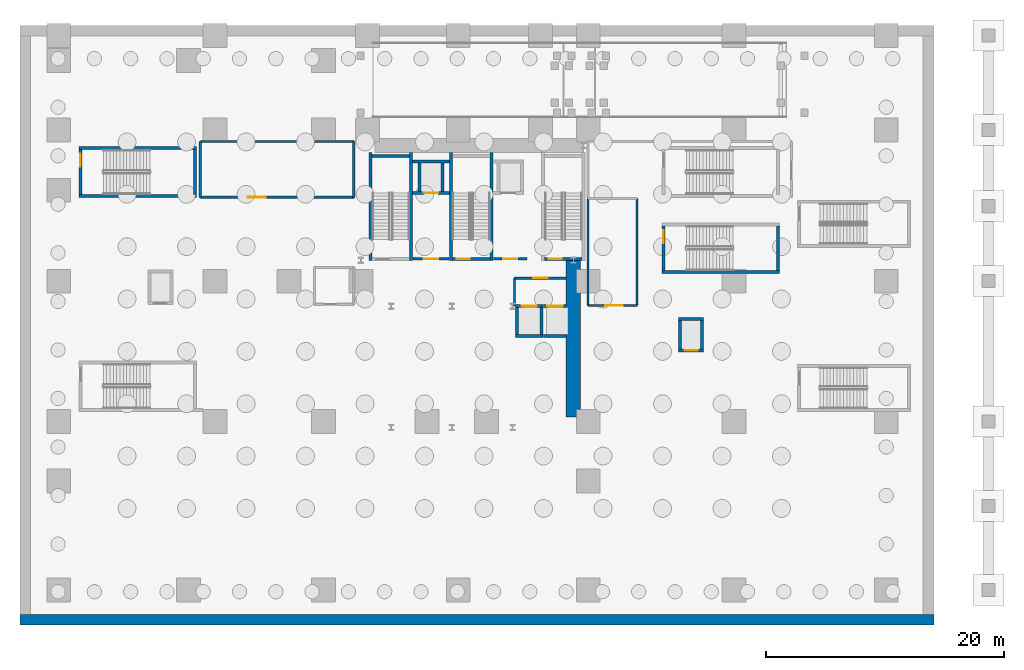
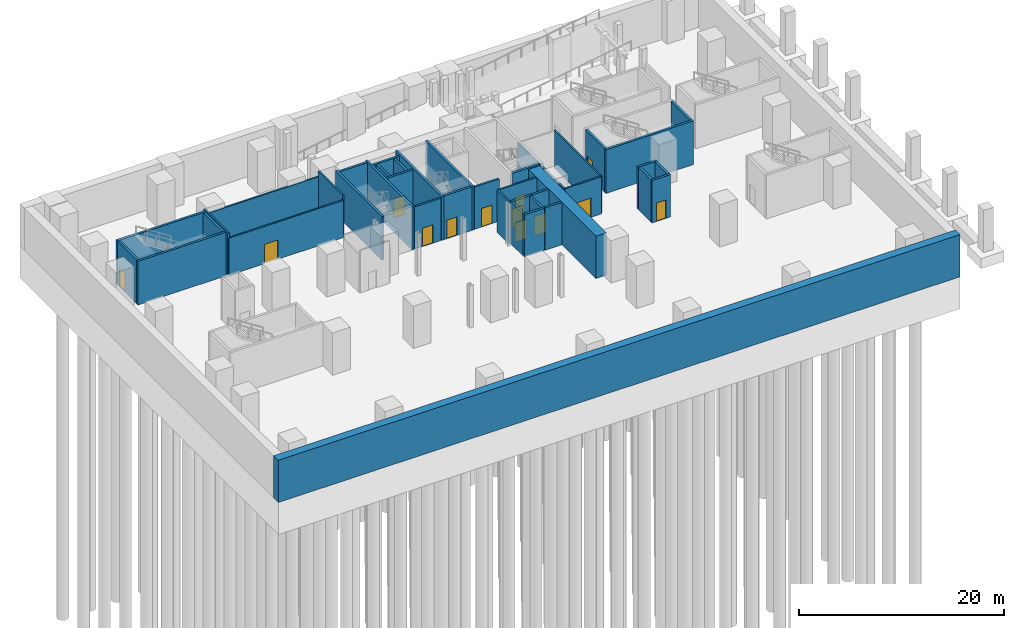
# One storey, part 5 of 14: 41 walls, 13 doors, 13 openings.
"""IFC4 building model written with IfcOpenShell, lengths in metres."""

from ifc_helpers import new_model, si_unit, direction, frame, frame_2d, origin, place, context, subcontext, project, spatial, rectangle, extrude, source, transform, mapped, material, layer, layer_set, type_object, element, fill, save


model = new_model("IFC4")

# Units and contexts
model_context = context("Model", 3, precision=1e-05, world=origin(), true_north=direction((0.0, 1.0)))
body_context = subcontext(model_context, "Body", "Model", "MODEL_VIEW")
ifc_project = project(units=[si_unit("LENGTHUNIT", "METRE"), si_unit("AREAUNIT", "SQUARE_METRE"), si_unit("VOLUMEUNIT", "CUBIC_METRE"), si_unit("PLANEANGLEUNIT", "RADIAN"), si_unit("MASSUNIT", "GRAM", prefix="KILO")], contexts=[model_context])

# Site, building, storey
site_placement = place(None, origin())
site = spatial("IfcSite", under=ifc_project, at=site_placement, CompositionType="ELEMENT")
building_placement = place(site_placement, origin())
building = spatial("IfcBuilding", under=site, at=building_placement, Name="Vardaveli Station Tower", CompositionType="ELEMENT")
storey_placement = place(building_placement, frame((0.0, 0.0, -11.39990234375)))
storey = spatial("IfcBuildingStorey", under=building, at=storey_placement, Name="B02", CompositionType="ELEMENT", Elevation=-11.39990234375)

# Walls
ifc_material_1 = material(Name="Concrete C70/85", Category="concrete")
ifc_layer_1 = layer(ifc_material_1, 1.199951171875, Name="Concrete C70/85")
ifc_layer_set_1 = layer_set([ifc_layer_1], Name="Concrete C70/85")
wall_type_1 = type_object("IfcWallType", Name="WAL-CORE-1200", PredefinedType="SHEAR", material=ifc_layer_set_1)
shared_shape_1 = source(origin(), body_context, "Body", "SweptSolid", [
    extrude(rectangle(XDim=13.14990234375, YDim=1.199951171875, at=frame_2d((6.574951171875, 0.0))), origin(), (0.0, 0.0, 1.0), 5.039794921875),
])
wall_1_placement = place(storey_placement, frame((46.5, 17.5, 0.0), z_axis=(0.0, 0.0, 1.0), x_axis=(0.0, 1.0, 0.0)))
element("IfcWall", 1, at=wall_1_placement, inside=storey, type_object=wall_type_1, Name="SW-B02-EAST2", PredefinedType="SHEAR", context=body_context, shape_type="MappedRepresentation", body=[
    mapped(shared_shape_1, transform((0.0, 0.0, 0.0), scale=1.0)),
])
ifc_material_2 = material(Name="Concrete C40/50", Category="concrete")
ifc_layer_2 = layer(ifc_material_2, 0.89990234375, Name="Concrete C40/50")
ifc_layer_set_2 = layer_set([ifc_layer_2], Name="Concrete C40/50")
wall_type_2 = type_object("IfcWallType", Name="WAL-RET-900", PredefinedType="SOLIDWALL", material=ifc_layer_set_2)
shared_shape_2 = source(origin(), body_context, "Body", "SweptSolid", [
    extrude(rectangle(XDim=76.800048828125, YDim=0.89990234375, at=frame_2d((38.39990234375, 0.0))), origin(), (0.0, 0.0, 1.0), 5.039794921875),
])
wall_2_placement = place(storey_placement, frame((0.0, 0.449951171875, 0.0), z_axis=(0.0, 0.0, 1.0), x_axis=(1.0, 0.0, 0.0)))
element("IfcWall", 2, at=wall_2_placement, inside=storey, type_object=wall_type_2, Name="BW-B02-S", PredefinedType="SOLIDWALL", context=body_context, shape_type="MappedRepresentation", body=[
    mapped(shared_shape_2, transform((0.0, 0.0, 0.0), scale=1.0)),
])
ifc_layer_3 = layer(ifc_material_2, 0.25, Name="Concrete C40/50")
ifc_layer_set_3 = layer_set([ifc_layer_3], Name="Concrete C40/50")
wall_type_3 = type_object("IfcWallType", Name="WAL-SHAFT-250", PredefinedType="SOLIDWALL", material=ifc_layer_set_3)
shared_shape_3 = source(origin(), body_context, "Body", "SweptSolid", [
    extrude(rectangle(XDim=9.050048828125, YDim=0.25, at=frame_2d((4.52490234375, 0.0))), origin(), (0.0, 0.0, 1.0), 5.199951171875),
])
for number, where, z_axis, x_axis, name in (
    (3, (29.47509765625, 30.64990234375, 0.0), (0.0, 0.0, 1.0), (0.0, 1.0, 0.0), "W-B02-ST-1W"),
    (4, (32.875, 30.64990234375, 0.0), (0.0, 0.0, 1.0), (0.0, 1.0, 0.0), "W-B02-ST-1E"),
    (5, (36.22509765625, 30.64990234375, 0.0), (0.0, 0.0, 1.0), (0.0, 1.0, 0.0), "W-B02-ST-2W"),
    (6, (39.625, 30.64990234375, 0.0), (0.0, 0.0, 1.0), (0.0, 1.0, 0.0), "W-B02-ST-2E"),
):
    element("IfcWall", number, at=place(storey_placement, frame(where, z_axis=z_axis, x_axis=x_axis)), inside=storey, type_object=wall_type_3, Name=name, PredefinedType="SOLIDWALL", context=body_context, shape_type="MappedRepresentation", body=[
        mapped(shared_shape_3, transform((0.0, 0.0, 0.0), scale=1.0)),
    ])
shared_shape_4 = source(origin(), body_context, "Body", "SweptSolid", [
    extrude(rectangle(XDim=3.14990234375, YDim=0.25, at=frame_2d((1.574951171875, 0.0))), origin(), (0.0, 0.0, 1.0), 5.199951171875),
])
wall_3_placement = place(storey_placement, frame((29.60009765625, 39.425048828125, 0.0), z_axis=(0.0, 0.0, 1.0), x_axis=(1.0, 0.0, 0.0)))
element("IfcWall", 7, at=wall_3_placement, inside=storey, type_object=wall_type_3, Name="W-B02-ST-1N", PredefinedType="SOLIDWALL", context=body_context, shape_type="MappedRepresentation", body=[
    mapped(shared_shape_4, transform((0.0, 0.0, 0.0), scale=1.0)),
])

# Wall, opening, door
wall_4_placement = place(storey_placement, frame((36.35009765625, 30.77490234375, 0.0), z_axis=(0.0, 0.0, 1.0), x_axis=(1.0, 0.0, 0.0)))
wall_4 = element("IfcWall", 8, at=wall_4_placement, inside=storey, type_object=wall_type_3, Name="W-B02-ST-2S", PredefinedType="SOLIDWALL", context=body_context, shape_type="MappedRepresentation", body=[
    mapped(shared_shape_4, transform((0.0, 0.0, 0.0), scale=1.0)),
])
shared_shape_5 = source(origin(), body_context, "Body", "SweptSolid", [
    extrude(rectangle(XDim=1.10009765625, YDim=2.199951171875, at=frame_2d((0.550048828125, 1.10009765625))), frame((0.0, 0.135009765625, 0.0), z_axis=(0.0, -1.0, 0.0), x_axis=(1.0, 0.0, 0.0)), (0.0, 0.0, 1.0), 0.27001953125),
])
opening_1_placement = place(wall_4_placement, frame((0.35009765625, 0.0, 0.0)))
opening_1 = element("IfcOpeningElement", 9, at=opening_1_placement, cuts=wall_4, Name="Opening D-04", PredefinedType="OPENING", context=body_context, shape_type="MappedRepresentation", body=[
    mapped(shared_shape_5, transform((0.0, 0.0, 0.0), scale=1.0)),
])
ifc_material_3 = material(Name="Steel smokeproof fire doorset", Category="steel")
door_type_1 = type_object("IfcDoorType", Name="DR-ST-1100x2200", OperationType="NOTDEFINED", PredefinedType="DOOR", material=ifc_material_3)
shared_shape_6 = source(origin(), body_context, "Body", "SweptSolid", [
    extrude(rectangle(XDim=1.10009765625, YDim=2.199951171875, at=frame_2d((0.550048828125, 1.10009765625))), frame((0.0, 0.02490234375, 0.0), z_axis=(0.0, -1.0, 0.0), x_axis=(1.0, 0.0, 0.0)), (0.0, 0.0, 1.0), 0.050048828125),
])
door_1_placement = place(opening_1_placement, origin())
door_1 = element("IfcDoor", 10, at=door_1_placement, inside=storey, type_object=door_type_1, Name="DST-2-B02", OperationType="SINGLE_SWING_LEFT", OverallHeight=2.199951171875, OverallWidth=1.10009765625, PredefinedType="DOOR", context=body_context, shape_type="MappedRepresentation", body=[
    mapped(shared_shape_6, transform((0.0, 0.0, 0.0), scale=1.0)),
])
fill(opening_1, door_1)

wall_5_placement = place(storey_placement, frame((44.10009765625, 30.77490234375, 0.0), z_axis=(0.0, 0.0, 1.0), x_axis=(1.0, 0.0, 0.0)))
wall_5 = element("IfcWall", 11, at=wall_5_placement, inside=storey, type_object=wall_type_3, Name="W-B02-ST-3S", PredefinedType="SOLIDWALL", context=body_context, shape_type="MappedRepresentation", body=[
    mapped(shared_shape_4, transform((0.0, 0.0, 0.0), scale=1.0)),
])
opening_2_placement = place(wall_5_placement, frame((0.35009765625, 0.0, 0.0)))
opening_2 = element("IfcOpeningElement", 12, at=opening_2_placement, cuts=wall_5, Name="Opening D-04", PredefinedType="OPENING", context=body_context, shape_type="MappedRepresentation", body=[
    mapped(shared_shape_5, transform((0.0, 0.0, 0.0), scale=1.0)),
])
door_2_placement = place(opening_2_placement, origin())
door_2 = element("IfcDoor", 13, at=door_2_placement, inside=storey, type_object=door_type_1, Name="DST-3-B02", OperationType="SINGLE_SWING_LEFT", OverallHeight=2.199951171875, OverallWidth=1.10009765625, PredefinedType="DOOR", context=body_context, shape_type="MappedRepresentation", body=[
    mapped(shared_shape_6, transform((0.0, 0.0, 0.0), scale=1.0)),
])
fill(opening_2, door_2)

# Walls
shared_shape_7 = source(origin(), body_context, "Body", "SweptSolid", [
    extrude(rectangle(XDim=9.900146484375, YDim=0.25, at=frame_2d((4.9501953125, 0.0))), origin(), (0.0, 0.0, 1.0), 5.199951171875),
])
for number, where, z_axis, x_axis, name in (
    (14, (53.949951171875, 29.675048828125, 0.0), (0.0, 0.0, 1.0), (1.0, 0.0, 0.0), "W-B02-ST-S2S"),
    (15, (4.949951171875, 36.074951171875, 0.0), (0.0, 0.0, 1.0), (1.0, 0.0, 0.0), "W-B02-ST-P1S"),
    (16, (4.949951171875, 40.074951171875, 0.0), (0.0, 0.0, 1.0), (1.0, 0.0, 0.0), "W-B02-ST-P1N"),
):
    element("IfcWall", number, at=place(storey_placement, frame(where, z_axis=z_axis, x_axis=x_axis)), inside=storey, type_object=wall_type_3, Name=name, PredefinedType="SOLIDWALL", context=body_context, shape_type="MappedRepresentation", body=[
        mapped(shared_shape_7, transform((0.0, 0.0, 0.0), scale=1.0)),
    ])
shared_shape_8 = source(origin(), body_context, "Body", "SweptSolid", [
    extrude(rectangle(XDim=3.75, YDim=0.25, at=frame_2d((1.875, 0.0))), origin(), (0.0, 0.0, 1.0), 5.199951171875),
])
wall_6_placement = place(storey_placement, frame((63.72509765625, 29.800048828125, 0.0), z_axis=(0.0, 0.0, 1.0), x_axis=(0.0, 1.0, 0.0)))
element("IfcWall", 17, at=wall_6_placement, inside=storey, type_object=wall_type_3, Name="W-B02-ST-S2E", PredefinedType="SOLIDWALL", context=body_context, shape_type="MappedRepresentation", body=[
    mapped(shared_shape_8, transform((0.0, 0.0, 0.0), scale=1.0)),
])

# Wall, opening, door
wall_7_placement = place(storey_placement, frame((54.074951171875, 29.800048828125, 0.0), z_axis=(0.0, 0.0, 1.0), x_axis=(0.0, 1.0, 0.0)))
wall_7 = element("IfcWall", 18, at=wall_7_placement, inside=storey, type_object=wall_type_3, Name="W-B02-ST-S2W", PredefinedType="SOLIDWALL", context=body_context, shape_type="MappedRepresentation", body=[
    mapped(shared_shape_8, transform((0.0, 0.0, 0.0), scale=1.0)),
])
opening_3_placement = place(wall_7_placement, frame((2.300048828125, 0.0, 0.0)))
opening_3 = element("IfcOpeningElement", 19, at=opening_3_placement, cuts=wall_7, Name="Opening D-04", PredefinedType="OPENING", context=body_context, shape_type="MappedRepresentation", body=[
    mapped(shared_shape_5, transform((0.0, 0.0, 0.0), scale=1.0)),
])
door_3_placement = place(opening_3_placement, origin())
door_3 = element("IfcDoor", 20, at=door_3_placement, inside=storey, type_object=door_type_1, Name="DST-S2-B02", OperationType="SINGLE_SWING_RIGHT", OverallHeight=2.199951171875, OverallWidth=1.10009765625, PredefinedType="DOOR", context=body_context, shape_type="MappedRepresentation", body=[
    mapped(shared_shape_6, transform((0.0, 0.0, 0.0), scale=1.0)),
])
fill(opening_3, door_3)

# Wall
wall_8_placement = place(storey_placement, frame((14.72509765625, 36.199951171875, 0.0), z_axis=(0.0, 0.0, 1.0), x_axis=(0.0, 1.0, 0.0)))
element("IfcWall", 21, at=wall_8_placement, inside=storey, type_object=wall_type_3, Name="W-B02-ST-P1E", PredefinedType="SOLIDWALL", context=body_context, shape_type="MappedRepresentation", body=[
    mapped(shared_shape_8, transform((0.0, 0.0, 0.0), scale=1.0)),
])

# Wall, opening, door
wall_9_placement = place(storey_placement, frame((5.074951171875, 36.199951171875, 0.0), z_axis=(0.0, 0.0, 1.0), x_axis=(0.0, 1.0, 0.0)))
wall_9 = element("IfcWall", 22, at=wall_9_placement, inside=storey, type_object=wall_type_3, Name="W-B02-ST-P1W", PredefinedType="SOLIDWALL", context=body_context, shape_type="MappedRepresentation", body=[
    mapped(shared_shape_8, transform((0.0, 0.0, 0.0), scale=1.0)),
])
opening_4_placement = place(wall_9_placement, frame((2.300048828125, 0.0, 0.0)))
opening_4 = element("IfcOpeningElement", 23, at=opening_4_placement, cuts=wall_9, Name="Opening D-04", PredefinedType="OPENING", context=body_context, shape_type="MappedRepresentation", body=[
    mapped(shared_shape_5, transform((0.0, 0.0, 0.0), scale=1.0)),
])
door_4_placement = place(opening_4_placement, origin())
door_4 = element("IfcDoor", 24, at=door_4_placement, inside=storey, type_object=door_type_1, Name="DST-P1-B02", OperationType="SINGLE_SWING_RIGHT", OverallHeight=2.199951171875, OverallWidth=1.10009765625, PredefinedType="DOOR", context=body_context, shape_type="MappedRepresentation", body=[
    mapped(shared_shape_6, transform((0.0, 0.0, 0.0), scale=1.0)),
])
fill(opening_4, door_4)

ifc_layer_4 = layer(ifc_material_2, 0.219970703125, Name="Concrete C40/50")
ifc_layer_set_4 = layer_set([ifc_layer_4], Name="Concrete C40/50")
wall_type_4 = type_object("IfcWallType", Name="WAL-FFLOBBY-220", PredefinedType="SOLIDWALL", material=ifc_layer_set_4)
shared_shape_9 = source(origin(), body_context, "Body", "SweptSolid", [
    extrude(rectangle(XDim=3.0, YDim=0.219970703125, at=frame_2d((1.5, 0.0))), origin(), (0.0, 0.0, 1.0), 5.039794921875),
])
wall_10_placement = place(storey_placement, frame((33.050048828125, 30.780029296875, 0.0), z_axis=(0.0, 0.0, 1.0), x_axis=(1.0, 0.0, 0.0)))
wall_10 = element("IfcWall", 25, at=wall_10_placement, inside=storey, type_object=wall_type_4, Name="W-B02-FFL1S", PredefinedType="SOLIDWALL", context=body_context, shape_type="MappedRepresentation", body=[
    mapped(shared_shape_9, transform((0.0, 0.0, 0.0), scale=1.0)),
])
shared_shape_10 = source(origin(), body_context, "Body", "SweptSolid", [
    extrude(rectangle(XDim=1.199951171875, YDim=2.199951171875, at=frame_2d((0.60009765625, 1.10009765625))), frame((0.0, 0.1201171875, 0.0), z_axis=(0.0, -1.0, 0.0), x_axis=(1.0, 0.0, 0.0)), (0.0, 0.0, 1.0), 0.239990234375),
])
opening_5_placement = place(wall_10_placement, frame((0.89990234375, 0.0, 0.0)))
opening_5 = element("IfcOpeningElement", 26, at=opening_5_placement, cuts=wall_10, Name="Opening D-03", PredefinedType="OPENING", context=body_context, shape_type="MappedRepresentation", body=[
    mapped(shared_shape_10, transform((0.0, 0.0, 0.0), scale=1.0)),
])
door_type_2 = type_object("IfcDoorType", Name="DR-FFL-1200x2200", OperationType="NOTDEFINED", PredefinedType="DOOR", material=ifc_material_3)
shared_shape_11 = source(origin(), body_context, "Body", "SweptSolid", [
    extrude(rectangle(XDim=1.199951171875, YDim=2.199951171875, at=frame_2d((0.60009765625, 1.10009765625))), frame((0.0, 0.02490234375, 0.0), z_axis=(0.0, -1.0, 0.0), x_axis=(1.0, 0.0, 0.0)), (0.0, 0.0, 1.0), 0.050048828125),
])
door_5_placement = place(opening_5_placement, origin())
door_5 = element("IfcDoor", 27, at=door_5_placement, inside=storey, type_object=door_type_2, Name="DFFL1-B02", OperationType="SINGLE_SWING_LEFT", OverallHeight=2.199951171875, OverallWidth=1.199951171875, PredefinedType="DOOR", context=body_context, shape_type="MappedRepresentation", body=[
    mapped(shared_shape_11, transform((0.0, 0.0, 0.0), scale=1.0)),
])
fill(opening_5, door_5)

shared_shape_12 = source(origin(), body_context, "Body", "SweptSolid", [
    extrude(rectangle(XDim=2.800048828125, YDim=0.219970703125, at=frame_2d((1.39990234375, 0.0))), origin(), (0.0, 0.0, 1.0), 5.039794921875),
])
wall_11_placement = place(storey_placement, frame((39.800048828125, 30.780029296875, 0.0), z_axis=(0.0, 0.0, 1.0), x_axis=(1.0, 0.0, 0.0)))
wall_11 = element("IfcWall", 28, at=wall_11_placement, inside=storey, type_object=wall_type_4, Name="W-B02-FFL2S", PredefinedType="SOLIDWALL", context=body_context, shape_type="MappedRepresentation", body=[
    mapped(shared_shape_12, transform((0.0, 0.0, 0.0), scale=1.0)),
])
opening_6_placement = place(wall_11_placement, frame((0.800048828125, 0.0, 0.0)))
opening_6 = element("IfcOpeningElement", 29, at=opening_6_placement, cuts=wall_11, Name="Opening D-03", PredefinedType="OPENING", context=body_context, shape_type="MappedRepresentation", body=[
    mapped(shared_shape_10, transform((0.0, 0.0, 0.0), scale=1.0)),
])
door_6_placement = place(opening_6_placement, origin())
door_6 = element("IfcDoor", 30, at=door_6_placement, inside=storey, type_object=door_type_2, Name="DFFL2-B02", OperationType="SINGLE_SWING_RIGHT", OverallHeight=2.199951171875, OverallWidth=1.199951171875, PredefinedType="DOOR", context=body_context, shape_type="MappedRepresentation", body=[
    mapped(shared_shape_11, transform((0.0, 0.0, 0.0), scale=1.0)),
])
fill(opening_6, door_6)

# Walls
shared_shape_13 = source(origin(), body_context, "Body", "SweptSolid", [
    extrude(rectangle(XDim=2.400146484375, YDim=0.25, at=frame_2d((1.2001953125, 0.0))), origin(), (0.0, 0.0, 1.0), 5.039794921875),
])
for number, where, z_axis, x_axis, name in (
    (31, (55.47509765625, 23.199951171875, 0.0), (0.0, 0.0, 1.0), (0.0, 1.0, 0.0), "SHW-STN-02-B02-W"),
    (32, (57.324951171875, 23.199951171875, 0.0), (0.0, 0.0, 1.0), (0.0, 1.0, 0.0), "SHW-STN-02-B02-E"),
    (33, (33.574951171875, 36.449951171875, 0.0), (0.0, 0.0, 1.0), (0.0, 1.0, 0.0), "SHW-FFL-01-B02-W"),
    (34, (35.52490234375, 36.449951171875, 0.0), (0.0, 0.0, 1.0), (0.0, 1.0, 0.0), "SHW-FFL-01-B02-E"),
):
    element("IfcWall", number, at=place(storey_placement, frame(where, z_axis=z_axis, x_axis=x_axis)), inside=storey, type_object=wall_type_3, Name=name, PredefinedType="SOLIDWALL", context=body_context, shape_type="MappedRepresentation", body=[
        mapped(shared_shape_13, transform((0.0, 0.0, 0.0), scale=1.0)),
    ])

# Wall, opening, door
shared_shape_14 = source(origin(), body_context, "Body", "SweptSolid", [
    extrude(rectangle(XDim=2.099853515625, YDim=0.25, at=frame_2d((1.0498046875, 0.0))), origin(), (0.0, 0.0, 1.0), 5.039794921875),
])
wall_12_placement = place(storey_placement, frame((55.35009765625, 23.074951171875, 0.0), z_axis=(0.0, 0.0, 1.0), x_axis=(1.0, 0.0, 0.0)))
wall_12 = element("IfcWall", 35, at=wall_12_placement, inside=storey, type_object=wall_type_3, Name="SHW-STN-02-B02-S", PredefinedType="SOLIDWALL", context=body_context, shape_type="MappedRepresentation", body=[
    mapped(shared_shape_14, transform((0.0, 0.0, 0.0), scale=1.0)),
])
opening_7_placement = place(wall_12_placement, frame((0.5, 0.0, 0.0)))
opening_7 = element("IfcOpeningElement", 36, at=opening_7_placement, cuts=wall_12, Name="Opening LD-01", PredefinedType="OPENING", context=body_context, shape_type="MappedRepresentation", body=[
    mapped(shared_shape_5, transform((0.0, 0.0, 0.0), scale=1.0)),
])
ifc_material_4 = material(Name="Brushed stainless steel", Category="steel")
door_type_3 = type_object("IfcDoorType", Name="DR-LD-1100x2200", OperationType="DOUBLE_DOOR_SLIDING", PredefinedType="DOOR", material=ifc_material_4)
door_7_placement = place(opening_7_placement, origin())
door_7 = element("IfcDoor", 37, at=door_7_placement, inside=storey, type_object=door_type_3, Name="LD-STN-02-B02", OperationType="DOUBLE_DOOR_SLIDING", OverallHeight=2.199951171875, OverallWidth=1.10009765625, PredefinedType="DOOR", context=body_context, shape_type="MappedRepresentation", body=[
    mapped(shared_shape_6, transform((0.0, 0.0, 0.0), scale=1.0)),
])
fill(opening_7, door_7)

# Wall
wall_13_placement = place(storey_placement, frame((55.35009765625, 25.72509765625, 0.0), z_axis=(0.0, 0.0, 1.0), x_axis=(1.0, 0.0, 0.0)))
element("IfcWall", 38, at=wall_13_placement, inside=storey, type_object=wall_type_3, Name="SHW-STN-02-B02-N", PredefinedType="SOLIDWALL", context=body_context, shape_type="MappedRepresentation", body=[
    mapped(shared_shape_14, transform((0.0, 0.0, 0.0), scale=1.0)),
])

# Wall, opening, door
shared_shape_15 = source(origin(), body_context, "Body", "SweptSolid", [
    extrude(rectangle(XDim=3.10009765625, YDim=0.25, at=frame_2d((1.550048828125, 0.0))), origin(), (0.0, 0.0, 1.0), 5.039794921875),
])
wall_14_placement = place(storey_placement, frame((33.0, 36.324951171875, 0.0), z_axis=(0.0, 0.0, 1.0), x_axis=(1.0, 0.0, 0.0)))
wall_14 = element("IfcWall", 39, at=wall_14_placement, inside=storey, type_object=wall_type_3, Name="SHW-FFL-01-B02-S", PredefinedType="SOLIDWALL", context=body_context, shape_type="MappedRepresentation", body=[
    mapped(shared_shape_15, transform((0.0, 0.0, 0.0), scale=1.0)),
])
shared_shape_16 = source(origin(), body_context, "Body", "SweptSolid", [
    extrude(rectangle(XDim=1.199951171875, YDim=2.25, at=frame_2d((0.60009765625, 1.125))), frame((0.0, 0.135009765625, 0.0), z_axis=(0.0, -1.0, 0.0), x_axis=(1.0, 0.0, 0.0)), (0.0, 0.0, 1.0), 0.27001953125),
])
opening_8_placement = place(wall_14_placement, frame((0.949951171875, 0.0, 0.0)))
opening_8 = element("IfcOpeningElement", 40, at=opening_8_placement, cuts=wall_14, Name="Opening LD-02", PredefinedType="OPENING", context=body_context, shape_type="MappedRepresentation", body=[
    mapped(shared_shape_16, transform((0.0, 0.0, 0.0), scale=1.0)),
])
door_type_4 = type_object("IfcDoorType", Name="DR-LD-1200x2250", OperationType="DOUBLE_DOOR_SLIDING", PredefinedType="DOOR", material=ifc_material_4)
shared_shape_17 = source(origin(), body_context, "Body", "SweptSolid", [
    extrude(rectangle(XDim=1.199951171875, YDim=2.25, at=frame_2d((0.60009765625, 1.125))), frame((0.0, 0.02490234375, 0.0), z_axis=(0.0, -1.0, 0.0), x_axis=(1.0, 0.0, 0.0)), (0.0, 0.0, 1.0), 0.050048828125),
])
door_8_placement = place(opening_8_placement, origin())
door_8 = element("IfcDoor", 41, at=door_8_placement, inside=storey, type_object=door_type_4, Name="LD-FFL-01-B02", OperationType="DOUBLE_DOOR_SLIDING", OverallHeight=2.25, OverallWidth=1.199951171875, PredefinedType="DOOR", context=body_context, shape_type="MappedRepresentation", body=[
    mapped(shared_shape_17, transform((0.0, 0.0, 0.0), scale=1.0)),
])
fill(opening_8, door_8)

# Walls
wall_15_placement = place(storey_placement, frame((33.0, 38.97509765625, 0.0), z_axis=(0.0, 0.0, 1.0), x_axis=(1.0, 0.0, 0.0)))
element("IfcWall", 42, at=wall_15_placement, inside=storey, type_object=wall_type_3, Name="SHW-FFL-01-B02-N", PredefinedType="SOLIDWALL", context=body_context, shape_type="MappedRepresentation", body=[
    mapped(shared_shape_15, transform((0.0, 0.0, 0.0), scale=1.0)),
])
shared_shape_18 = source(origin(), body_context, "Body", "SweptSolid", [
    extrude(rectangle(XDim=2.300048828125, YDim=0.25, at=frame_2d((1.14990234375, 0.0))), origin(), (0.0, 0.0, 1.0), 5.039794921875),
])
wall_16_placement = place(storey_placement, frame((41.64990234375, 24.27490234375, 0.0), z_axis=(0.0, 0.0, 1.0), x_axis=(1.0, 0.0, 0.0)))
element("IfcWall", 43, at=wall_16_placement, inside=storey, type_object=wall_type_3, Name="SHW-SRV-01-B02-S", PredefinedType="SOLIDWALL", context=body_context, shape_type="MappedRepresentation", body=[
    mapped(shared_shape_18, transform((0.0, 0.0, 0.0), scale=1.0)),
])

# Wall, opening, door
wall_17_placement = place(storey_placement, frame((41.64990234375, 26.824951171875, 0.0), z_axis=(0.0, 0.0, 1.0), x_axis=(1.0, 0.0, 0.0)))
wall_17 = element("IfcWall", 44, at=wall_17_placement, inside=storey, type_object=wall_type_3, Name="SHW-SRV-01-B02-N", PredefinedType="SOLIDWALL", context=body_context, shape_type="MappedRepresentation", body=[
    mapped(shared_shape_18, transform((0.0, 0.0, 0.0), scale=1.0)),
])
shared_shape_19 = source(origin(), body_context, "Body", "SweptSolid", [
    extrude(rectangle(XDim=1.300048828125, YDim=2.300048828125, at=frame_2d((0.64990234375, 1.14990234375))), frame((0.0, 0.135009765625, 0.0), z_axis=(0.0, -1.0, 0.0), x_axis=(1.0, 0.0, 0.0)), (0.0, 0.0, 1.0), 0.27001953125),
])
opening_9_placement = place(wall_17_placement, frame((0.5, 0.0, 0.0)))
opening_9 = element("IfcOpeningElement", 45, at=opening_9_placement, cuts=wall_17, Name="Opening LD-03", PredefinedType="OPENING", context=body_context, shape_type="MappedRepresentation", body=[
    mapped(shared_shape_19, transform((0.0, 0.0, 0.0), scale=1.0)),
])
door_type_5 = type_object("IfcDoorType", Name="DR-LD-1300x2300", OperationType="DOUBLE_DOOR_SLIDING", PredefinedType="DOOR", material=ifc_material_4)
shared_shape_20 = source(origin(), body_context, "Body", "SweptSolid", [
    extrude(rectangle(XDim=1.300048828125, YDim=2.300048828125, at=frame_2d((0.64990234375, 1.14990234375))), frame((0.0, 0.02490234375, 0.0), z_axis=(0.0, -1.0, 0.0), x_axis=(1.0, 0.0, 0.0)), (0.0, 0.0, 1.0), 0.050048828125),
])
door_9_placement = place(opening_9_placement, origin())
door_9 = element("IfcDoor", 46, at=door_9_placement, inside=storey, type_object=door_type_5, Name="LD-SRV-01-B02", OperationType="DOUBLE_DOOR_SLIDING", OverallHeight=2.300048828125, OverallWidth=1.300048828125, PredefinedType="DOOR", context=body_context, shape_type="MappedRepresentation", body=[
    mapped(shared_shape_20, transform((0.0, 0.0, 0.0), scale=1.0)),
])
fill(opening_9, door_9)

# Walls
for number, where, z_axis, x_axis, name in (
    (47, (41.77490234375, 24.39990234375, 0.0), (0.0, 0.0, 1.0), (0.0, 1.0, 0.0), "SHW-SRV-01-B02-W"),
    (48, (43.824951171875, 24.39990234375, 0.0), (0.0, 0.0, 1.0), (0.0, 1.0, 0.0), "SHW-SRV-01-B02-E"),
):
    element("IfcWall", number, at=place(storey_placement, frame(where, z_axis=z_axis, x_axis=x_axis)), inside=storey, type_object=wall_type_3, Name=name, PredefinedType="SOLIDWALL", context=body_context, shape_type="MappedRepresentation", body=[
        mapped(shared_shape_18, transform((0.0, 0.0, 0.0), scale=1.0)),
    ])
shared_shape_21 = source(origin(), body_context, "Body", "SweptSolid", [
    extrude(rectangle(XDim=1.89990234375, YDim=0.25, at=frame_2d((0.949951171875, 0.0))), origin(), (0.0, 0.0, 1.0), 5.039794921875),
])
wall_18_placement = place(storey_placement, frame((44.0, 24.27490234375, 0.0), z_axis=(0.0, 0.0, 1.0), x_axis=(1.0, 0.0, 0.0)))
element("IfcWall", 49, at=wall_18_placement, inside=storey, type_object=wall_type_3, Name="SHW-SRV-02-B02-S", PredefinedType="SOLIDWALL", context=body_context, shape_type="MappedRepresentation", body=[
    mapped(shared_shape_21, transform((0.0, 0.0, 0.0), scale=1.0)),
])

# Wall, opening, door
wall_19_placement = place(storey_placement, frame((44.0, 26.824951171875, 0.0), z_axis=(0.0, 0.0, 1.0), x_axis=(1.0, 0.0, 0.0)))
wall_19 = element("IfcWall", 50, at=wall_19_placement, inside=storey, type_object=wall_type_3, Name="SHW-SRV-02-B02-N", PredefinedType="SOLIDWALL", context=body_context, shape_type="MappedRepresentation", body=[
    mapped(shared_shape_21, transform((0.0, 0.0, 0.0), scale=1.0)),
])
opening_10_placement = place(wall_19_placement, frame((0.300048828125, 0.0, 0.0)))
opening_10 = element("IfcOpeningElement", 51, at=opening_10_placement, cuts=wall_19, Name="Opening LD-03", PredefinedType="OPENING", context=body_context, shape_type="MappedRepresentation", body=[
    mapped(shared_shape_19, transform((0.0, 0.0, 0.0), scale=1.0)),
])
door_10_placement = place(opening_10_placement, origin())
door_10 = element("IfcDoor", 52, at=door_10_placement, inside=storey, type_object=door_type_5, Name="LD-SRV-02-B02", OperationType="DOUBLE_DOOR_SLIDING", OverallHeight=2.300048828125, OverallWidth=1.300048828125, PredefinedType="DOOR", context=body_context, shape_type="MappedRepresentation", body=[
    mapped(shared_shape_20, transform((0.0, 0.0, 0.0), scale=1.0)),
])
fill(opening_10, door_10)

ifc_material_5 = material(Name="Fire-rated gypsum stud partition")
ifc_layer_5 = layer(ifc_material_5, 0.179931640625, Name="Fire-rated gypsum stud partition")
ifc_layer_set_5 = layer_set([ifc_layer_5], Name="Fire-rated gypsum stud partition")
wall_type_5 = type_object("IfcWallType", Name="WAL-CORR-180", PredefinedType="PARTITIONING", material=ifc_layer_set_5)
shared_shape_22 = source(origin(), body_context, "Body", "SweptSolid", [
    extrude(rectangle(XDim=12.900146484375, YDim=0.179931640625, at=frame_2d((6.4501953125, 0.0))), origin(), (0.0, 0.0, 1.0), 4.431884765625),
])
wall_20_placement = place(storey_placement, frame((15.14990234375, 35.949951171875, 0.0), z_axis=(0.0, 0.0, 1.0), x_axis=(1.0, 0.0, 0.0)))
wall_20 = element("IfcWall", 53, at=wall_20_placement, inside=storey, type_object=wall_type_5, Name="W-B02-PL2-S", PredefinedType="PARTITIONING", context=body_context, shape_type="MappedRepresentation", body=[
    mapped(shared_shape_22, transform((0.0, 0.0, 0.0), scale=1.0)),
])
shared_shape_23 = source(origin(), body_context, "Body", "SweptSolid", [
    extrude(rectangle(XDim=1.5, YDim=2.300048828125, at=frame_2d((0.75, 1.14990234375))), frame((0.0, 0.10009765625, 0.0), z_axis=(0.0, -1.0, 0.0), x_axis=(1.0, 0.0, 0.0)), (0.0, 0.0, 1.0), 0.199951171875),
])
opening_11_placement = place(wall_20_placement, frame((4.0, 0.0, 0.0)))
opening_11 = element("IfcOpeningElement", 54, at=opening_11_placement, cuts=wall_20, Name="Opening D-02", PredefinedType="OPENING", context=body_context, shape_type="MappedRepresentation", body=[
    mapped(shared_shape_23, transform((0.0, 0.0, 0.0), scale=1.0)),
])
ifc_material_6 = material(Name="Galvanised steel acoustic doorset", Category="steel")
door_type_6 = type_object("IfcDoorType", Name="DR-PLANT-1500x2300", OperationType="DOUBLE_DOOR_SINGLE_SWING", PredefinedType="DOOR", material=ifc_material_6)
shared_shape_24 = source(origin(), body_context, "Body", "SweptSolid", [
    extrude(rectangle(XDim=1.5, YDim=2.300048828125, at=frame_2d((0.75, 1.14990234375))), frame((0.0, 0.02490234375, 0.0), z_axis=(0.0, -1.0, 0.0), x_axis=(1.0, 0.0, 0.0)), (0.0, 0.0, 1.0), 0.050048828125),
])
door_11_placement = place(opening_11_placement, origin())
door_11 = element("IfcDoor", 55, at=door_11_placement, inside=storey, type_object=door_type_6, Name="D-B02-PL2", OperationType="DOUBLE_DOOR_SINGLE_SWING", OverallHeight=2.300048828125, OverallWidth=1.5, PredefinedType="DOOR", context=body_context, shape_type="MappedRepresentation", body=[
    mapped(shared_shape_24, transform((0.0, 0.0, 0.0), scale=1.0)),
])
fill(opening_11, door_11)

# Wall
wall_21_placement = place(storey_placement, frame((15.14990234375, 40.64990234375, 0.0), z_axis=(0.0, 0.0, 1.0), x_axis=(1.0, 0.0, 0.0)))
element("IfcWall", 56, at=wall_21_placement, inside=storey, type_object=wall_type_5, Name="W-B02-PL2-N", PredefinedType="PARTITIONING", context=body_context, shape_type="MappedRepresentation", body=[
    mapped(shared_shape_22, transform((0.0, 0.0, 0.0), scale=1.0)),
])

# Wall, opening, door
shared_shape_25 = source(origin(), body_context, "Body", "SweptSolid", [
    extrude(rectangle(XDim=4.347900390625, YDim=0.179931640625, at=frame_2d((2.173828125, 0.0))), origin(), (0.0, 0.0, 1.0), 5.039794921875),
])
wall_22_placement = place(storey_placement, frame((41.550048828125, 29.14990234375, 0.0), z_axis=(0.0, 0.0, 1.0), x_axis=(1.0, 0.0, 0.0)))
wall_22 = element("IfcWall", 57, at=wall_22_placement, inside=storey, type_object=wall_type_5, Name="W-B02-SVFN", PredefinedType="PARTITIONING", context=body_context, shape_type="MappedRepresentation", body=[
    mapped(shared_shape_25, transform((0.0, 0.0, 0.0), scale=1.0)),
])
shared_shape_26 = source(origin(), body_context, "Body", "SweptSolid", [
    extrude(rectangle(XDim=1.199951171875, YDim=2.199951171875, at=frame_2d((0.60009765625, 1.10009765625))), frame((0.0, 0.10009765625, 0.0), z_axis=(0.0, -1.0, 0.0), x_axis=(1.0, 0.0, 0.0)), (0.0, 0.0, 1.0), 0.199951171875),
])
opening_12_placement = place(wall_22_placement, frame((1.60009765625, 0.0, 0.0)))
opening_12 = element("IfcOpeningElement", 58, at=opening_12_placement, cuts=wall_22, Name="Opening D-03", PredefinedType="OPENING", context=body_context, shape_type="MappedRepresentation", body=[
    mapped(shared_shape_26, transform((0.0, 0.0, 0.0), scale=1.0)),
])
door_12_placement = place(opening_12_placement, origin())
door_12 = element("IfcDoor", 59, at=door_12_placement, inside=storey, type_object=door_type_2, Name="D-B02-SVF", OperationType="SINGLE_SWING_LEFT", OverallHeight=2.199951171875, OverallWidth=1.199951171875, PredefinedType="DOOR", context=body_context, shape_type="MappedRepresentation", body=[
    mapped(shared_shape_11, transform((0.0, 0.0, 0.0), scale=1.0)),
])
fill(opening_12, door_12)

# Walls
shared_shape_27 = source(origin(), body_context, "Body", "SweptSolid", [
    extrude(rectangle(XDim=4.699951171875, YDim=0.179931640625, at=frame_2d((2.35009765625, 0.0))), origin(), (0.0, 0.0, 1.0), 5.039794921875),
])
for number, where, z_axis, x_axis, name in (
    (60, (15.14990234375, 35.949951171875, 0.0), (0.0, 0.0, 1.0), (0.0, 1.0, 0.0), "W-B02-PL2-W"),
    (61, (28.050048828125, 35.949951171875, 0.0), (0.0, 0.0, 1.0), (0.0, 1.0, 0.0), "W-B02-PL2-E"),
):
    element("IfcWall", number, at=place(storey_placement, frame(where, z_axis=z_axis, x_axis=x_axis)), inside=storey, type_object=wall_type_5, Name=name, PredefinedType="PARTITIONING", context=body_context, shape_type="MappedRepresentation", body=[
        mapped(shared_shape_27, transform((0.0, 0.0, 0.0), scale=1.0)),
    ])

# Wall, opening, door
shared_shape_28 = source(origin(), body_context, "Body", "SweptSolid", [
    extrude(rectangle(XDim=4.10009765625, YDim=0.179931640625, at=frame_2d((2.050048828125, 0.0))), origin(), (0.0, 0.0, 1.0), 4.431884765625),
])
wall_23_placement = place(storey_placement, frame((47.75, 26.85009765625, 0.0), z_axis=(0.0, 0.0, 1.0), x_axis=(1.0, 0.0, 0.0)))
wall_23 = element("IfcWall", 62, at=wall_23_placement, inside=storey, type_object=wall_type_5, Name="W-B02-BK1-S", PredefinedType="PARTITIONING", context=body_context, shape_type="MappedRepresentation", body=[
    mapped(shared_shape_28, transform((0.0, 0.0, 0.0), scale=1.0)),
])
opening_13_placement = place(wall_23_placement, frame((1.419921875, 0.0, 0.0)))
opening_13 = element("IfcOpeningElement", 63, at=opening_13_placement, cuts=wall_23, Name="Opening D-02", PredefinedType="OPENING", context=body_context, shape_type="MappedRepresentation", body=[
    mapped(shared_shape_23, transform((0.0, 0.0, 0.0), scale=1.0)),
])
door_13_placement = place(opening_13_placement, origin())
door_13 = element("IfcDoor", 64, at=door_13_placement, inside=storey, type_object=door_type_6, Name="D-B02-BK1", OperationType="DOUBLE_DOOR_SINGLE_SWING", OverallHeight=2.300048828125, OverallWidth=1.5, PredefinedType="DOOR", context=body_context, shape_type="MappedRepresentation", body=[
    mapped(shared_shape_24, transform((0.0, 0.0, 0.0), scale=1.0)),
])
fill(opening_13, door_13)

# Walls
shared_shape_29 = source(origin(), body_context, "Body", "SweptSolid", [
    extrude(rectangle(XDim=9.0, YDim=0.179931640625, at=frame_2d((4.5, 0.0))), origin(), (0.0, 0.0, 1.0), 4.431884765625),
])
wall_24_placement = place(storey_placement, frame((47.75, 26.85009765625, 0.0), z_axis=(0.0, 0.0, 1.0), x_axis=(0.0, 1.0, 0.0)))
element("IfcWall", 65, at=wall_24_placement, inside=storey, type_object=wall_type_5, Name="W-B02-BK1-W", PredefinedType="PARTITIONING", context=body_context, shape_type="MappedRepresentation", body=[
    mapped(shared_shape_29, transform((0.0, 0.0, 0.0), scale=1.0)),
])
shared_shape_30 = source(origin(), body_context, "Body", "SweptSolid", [
    extrude(rectangle(XDim=9.0, YDim=0.179931640625, at=frame_2d((4.5, 0.0))), origin(), (0.0, 0.0, 1.0), 4.5078125),
])
wall_25_placement = place(storey_placement, frame((51.85009765625, 26.85009765625, 0.0), z_axis=(0.0, 0.0, 1.0), x_axis=(0.0, 1.0, 0.0)))
element("IfcWall", 66, at=wall_25_placement, inside=storey, type_object=wall_type_5, Name="W-B02-BK1-E", PredefinedType="PARTITIONING", context=body_context, shape_type="MappedRepresentation", body=[
    mapped(shared_shape_30, transform((0.0, 0.0, 0.0), scale=1.0)),
])
shared_shape_31 = source(origin(), body_context, "Body", "SweptSolid", [
    extrude(rectangle(XDim=2.349853515625, YDim=0.179931640625, at=frame_2d((1.1748046875, 0.0))), origin(), (0.0, 0.0, 1.0), 5.039794921875),
])
wall_26_placement = place(storey_placement, frame((41.550048828125, 26.800048828125, 0.0), z_axis=(0.0, 0.0, 1.0), x_axis=(0.0, 1.0, 0.0)))
element("IfcWall", 67, at=wall_26_placement, inside=storey, type_object=wall_type_5, Name="W-B02-SVFW", PredefinedType="PARTITIONING", context=body_context, shape_type="MappedRepresentation", body=[
    mapped(shared_shape_31, transform((0.0, 0.0, 0.0), scale=1.0)),
])

save(model, "model.ifc")
